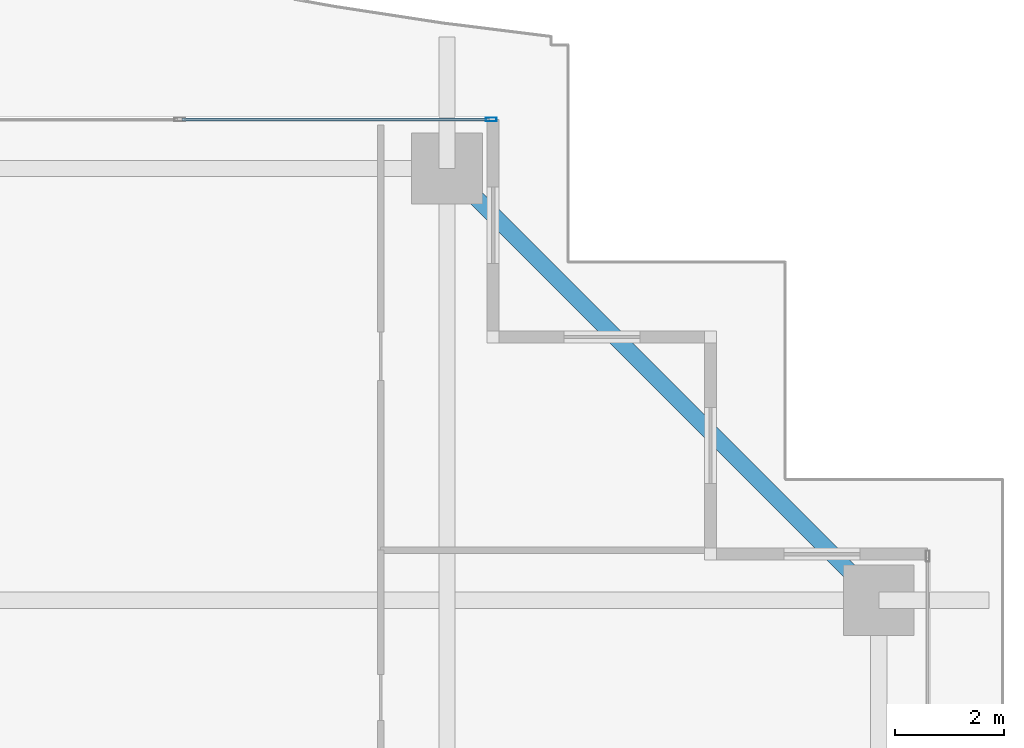
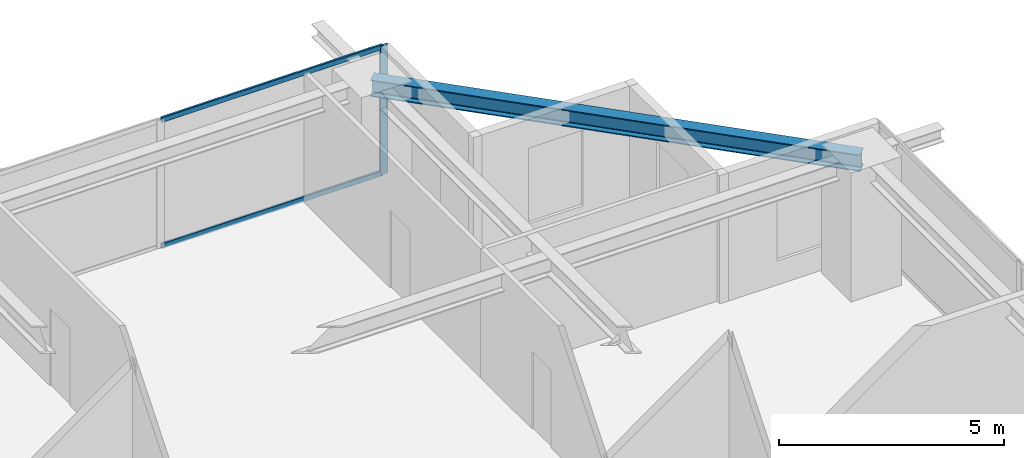
# One storey, part 24 of 38: 3 members, 1 beam, 1 element without a shape of its own.
"""IFC4 building model written with IfcOpenShell, lengths in metres."""

from ifc_helpers import new_model, si_unit, direction, frame, origin, origin_2d, place, context, subcontext, project, spatial, hollow_rectangle, i_section, extrude, source, transform, mapped, material, layer, layer_set, material_profile, profile_set, type_object, element, aggregate, save


model = new_model("IFC4")

# Units and contexts
model_context = context("Model", 3, precision=1e-05, world=origin(), true_north=direction((0.0, 1.0)))
body_context = subcontext(model_context, "Body", "Model", "MODEL_VIEW")
ifc_project = project(units=[si_unit("LENGTHUNIT", "METRE"), si_unit("AREAUNIT", "SQUARE_METRE"), si_unit("VOLUMEUNIT", "CUBIC_METRE"), si_unit("PLANEANGLEUNIT", "RADIAN"), si_unit("MASSUNIT", "GRAM", prefix="KILO")], contexts=[model_context])

# Site, building, storey
site_placement = place(None, origin())
site = spatial("IfcSite", under=ifc_project, at=site_placement, CompositionType="ELEMENT")
building_placement = place(site_placement, origin())
building = spatial("IfcBuilding", under=site, at=building_placement, Name="Serunith Strait Residences", CompositionType="ELEMENT")
storey_placement = place(building_placement, frame((0.0, 0.0, 120.14990234375)))
storey = spatial("IfcBuildingStorey", under=building, at=storey_placement, Name="L29", CompositionType="ELEMENT", Elevation=120.14990234375)

# Beam
ifc_material_1 = material(Name="Steel S355J2", Category="steel")
ifc_material_profile_1 = material_profile(ifc_material_1, i_section(OverallWidth=0.300048828125, OverallDepth=0.449951171875, WebThickness=0.013916015625, FlangeThickness=0.02587890625, FilletRadius=0.027099609375, at=origin_2d()), Name="HEB 450")
ifc_profile_set_1 = profile_set([ifc_material_profile_1], Name="Steel S355J2")
beam_type = type_object("IfcBeamType", Name="BM-HEB450", PredefinedType="BEAM", material=ifc_profile_set_1)
shared_shape_1 = source(origin(), body_context, "Body", "SweptSolid", [
    extrude(i_section(OverallWidth=0.300048828125, OverallDepth=0.449951171875, WebThickness=0.013916015625, FlangeThickness=0.02587890625, FilletRadius=0.027099609375, at=origin_2d()), origin(), (0.0, 0.0, 1.0), 11.2431640625),
])
beam_placement = place(storey_placement, frame((56.10009765625, 40.14990234375, 3.232177734375), z_axis=(-0.707106781187, 0.707106781187, 0.0), x_axis=(-0.707106781187, -0.707106781187, 0.0)))
element("IfcBeam", 1, at=beam_placement, inside=storey, type_object=beam_type, Name="L29 Perimeter Ring Beam 08", PredefinedType="BEAM", context=body_context, shape_type="MappedRepresentation", body=[
    mapped(shared_shape_1, transform((0.0, 0.0, 0.0), scale=1.0)),
])

# Curtain wall, members
ifc_material_2 = material(Name="Pale-Champagne Anodised Aluminium", Category="aluminium")
ifc_layer = layer(ifc_material_2, 0.199951171875, Name="Pale-Champagne Anodised Aluminium")
ifc_layer_set = layer_set([ifc_layer], Name="Pale-Champagne Anodised Aluminium")
curtain_wall_type = type_object("IfcCurtainWallType", Name="CW-SYS2", PredefinedType="NOTDEFINED", material=ifc_layer_set)
curtain_wall_placement = place(storey_placement, origin())
curtain_wall = element("IfcCurtainWall", 2, at=curtain_wall_placement, inside=storey, type_object=curtain_wall_type, Name="L29 N Unitised Fritted Curtain Wall", PredefinedType="NOTDEFINED")
ifc_material_profile_2 = material_profile(ifc_material_2, hollow_rectangle(XDim=0.070068359375, YDim=0.199951171875, WallThickness=0.00390625, InnerFilletRadius=0.006103515625, OuterFilletRadius=0.010009765625, at=origin_2d()), Name="ALU 200x70x4")
ifc_profile_set_2 = profile_set([ifc_material_profile_2], Name="Pale-Champagne Anodised Aluminium")
member_type_1 = type_object("IfcMemberType", Name="CW-SYS2-MULL", PredefinedType="MULLION", material=ifc_profile_set_2)
shared_shape_2 = source(origin(), body_context, "Body", "SweptSolid", [
    extrude(hollow_rectangle(XDim=0.070068359375, YDim=0.199951171875, WallThickness=0.00390625, InnerFilletRadius=0.006103515625, OuterFilletRadius=0.010009765625, at=origin_2d()), origin(), (0.0, 0.0, 1.0), 3.47509765625),
])
member_1_placement = place(storey_placement, frame((48.965087890625, 49.0, 0.0), z_axis=(0.0, 0.0, 1.0), x_axis=(0.0, -1.0, 0.0)))
member_1 = element("IfcMember", 3, at=member_1_placement, type_object=member_type_1, Name="CW-2 mullion 1", PredefinedType="MULLION", context=body_context, shape_type="MappedRepresentation", body=[
    mapped(shared_shape_2, transform((0.0, 0.0, 0.0), scale=1.0)),
])
ifc_material_profile_3 = material_profile(ifc_material_2, hollow_rectangle(XDim=0.06005859375, YDim=0.139892578125, WallThickness=0.00341796875, InnerFilletRadius=0.00537109375, OuterFilletRadius=0.0087890625, at=origin_2d()), Name="ALU 140x60x3.5")
ifc_profile_set_3 = profile_set([ifc_material_profile_3], Name="Pale-Champagne Anodised Aluminium")
member_type_2 = type_object("IfcMemberType", Name="CW-SYS2-TRAN", PredefinedType="USERDEFINED", material=ifc_profile_set_3)
shared_shape_3 = source(origin(), body_context, "Body", "SweptSolid", [
    extrude(hollow_rectangle(XDim=0.06005859375, YDim=0.139892578125, WallThickness=0.00341796875, InnerFilletRadius=0.00537109375, OuterFilletRadius=0.0087890625, at=origin_2d()), origin(), (0.0, 0.0, 1.0), 5.66162109375),
])
member_2_placement = place(storey_placement, frame((48.929931640625, 49.0, 0.030029296875), z_axis=(-1.0, 0.0, 0.0), x_axis=(0.0, -1.0, 0.0)))
member_2 = element("IfcMember", 4, at=member_2_placement, type_object=member_type_2, Name="CW-2 transom 1.1", ObjectType="TRANSOM", PredefinedType="USERDEFINED", context=body_context, shape_type="MappedRepresentation", body=[
    mapped(shared_shape_3, transform((0.0, 0.0, 0.0), scale=1.0)),
])
member_3_placement = place(storey_placement, frame((48.929931640625, 49.0, 3.445068359375), z_axis=(-1.0, 0.0, 0.0), x_axis=(0.0, -1.0, 0.0)))
member_3 = element("IfcMember", 5, at=member_3_placement, type_object=member_type_2, Name="CW-2 transom 1.2", ObjectType="TRANSOM", PredefinedType="USERDEFINED", context=body_context, shape_type="MappedRepresentation", body=[
    mapped(shared_shape_3, transform((0.0, 0.0, 0.0), scale=1.0)),
])
aggregate(curtain_wall, [member_1, member_2, member_3])

save(model, "model.ifc")
